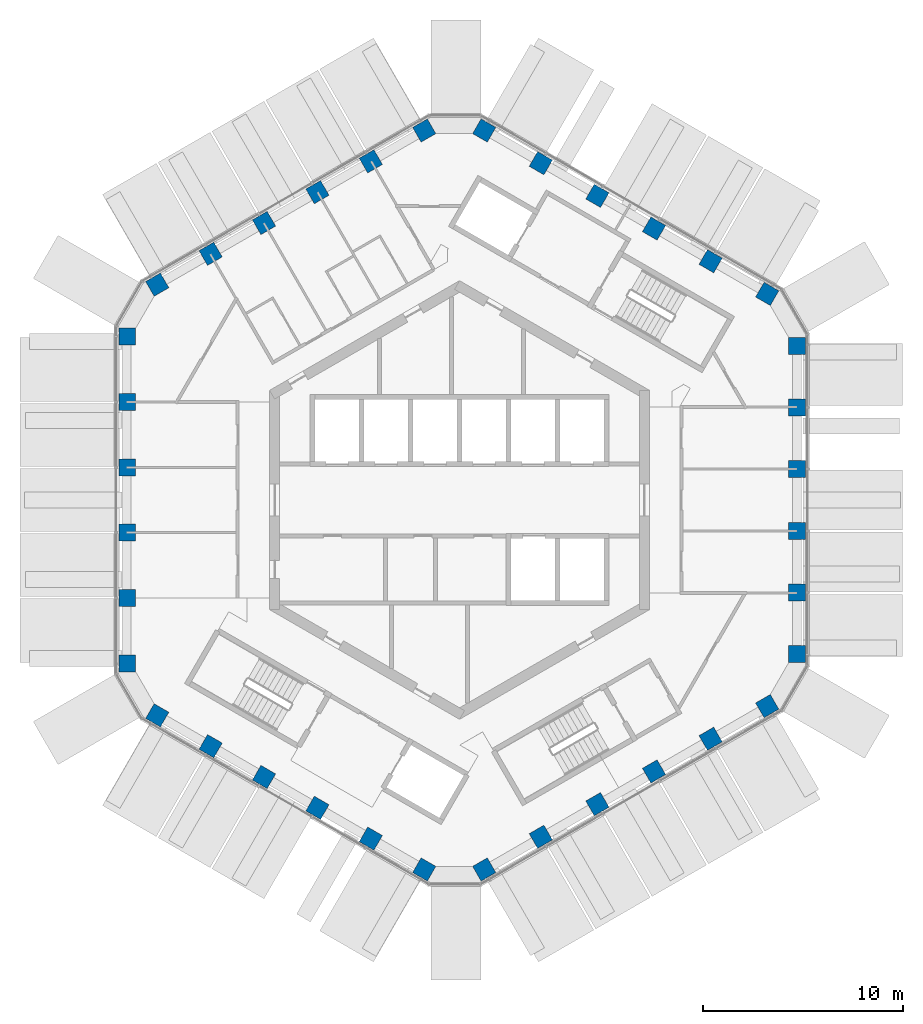
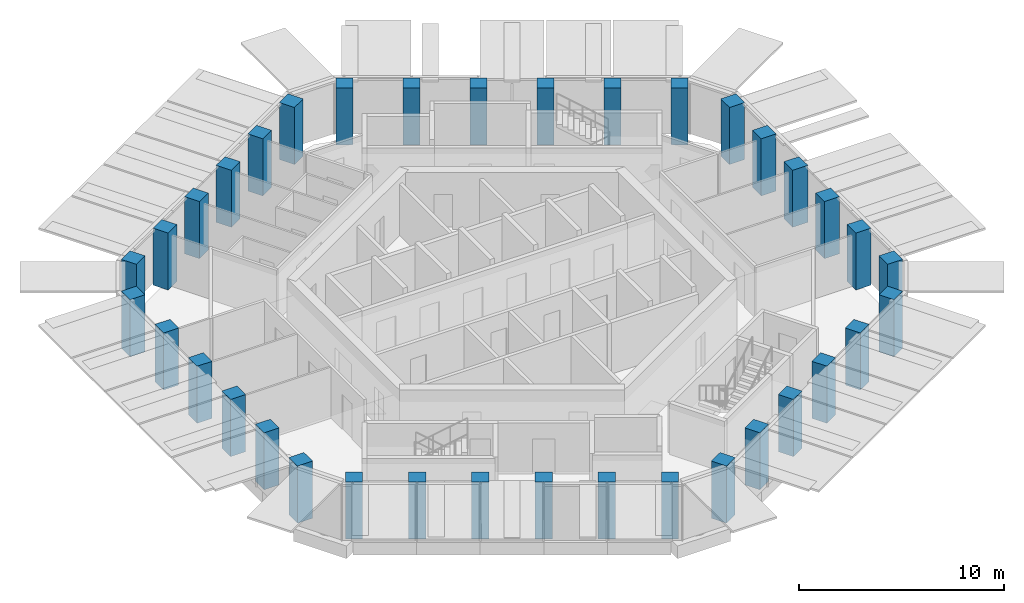
# One storey, part 1 of 17: 36 columns.
"""IFC4 building model written with IfcOpenShell, lengths in metres."""

from ifc_helpers import new_model, si_unit, direction, frame, origin, origin_2d, place, context, subcontext, project, spatial, rectangle, extrude, material, material_profile, profile_set, type_object, element, save


model = new_model("IFC4")

# Units and contexts
model_context = context("Model", 3, precision=1e-05, world=origin(), true_north=direction((0.0, 1.0)))
body_context = subcontext(model_context, "Body", "Model", "MODEL_VIEW")
ifc_project = project(units=[si_unit("LENGTHUNIT", "METRE"), si_unit("AREAUNIT", "SQUARE_METRE"), si_unit("VOLUMEUNIT", "CUBIC_METRE"), si_unit("PLANEANGLEUNIT", "RADIAN"), si_unit("MASSUNIT", "GRAM", prefix="KILO")], contexts=[model_context])

# Site, building, storey
site_placement = place(None, origin())
site = spatial("IfcSite", under=ifc_project, at=site_placement, CompositionType="ELEMENT")
building_placement = place(site_placement, origin())
building = spatial("IfcBuilding", under=site, at=building_placement, Name="Ayvan Gate Tower", CompositionType="ELEMENT")
storey_placement = place(building_placement, frame((0.0, 0.0, 232.5)))
storey = spatial("IfcBuildingStorey", under=building, at=storey_placement, Name="L62", CompositionType="ELEMENT", Elevation=232.5)

# Columns
ifc_material = material(Name="Concrete C50/60", Category="concrete")
ifc_material_profile = material_profile(ifc_material, rectangle(XDim=0.85009765625, YDim=0.85009765625, at=origin_2d()), Name="RC 850x850")
ifc_profile_set = profile_set([ifc_material_profile], Name="Concrete C50/60")
column_type = type_object("IfcColumnType", Name="Tube column RC 850x850 C50/60", PredefinedType="COLUMN", material=ifc_profile_set)
for number, where, z_axis, x_axis, name in (
    (1, (16.887451171875, -7.70947265625, 0.0), (0.0, 0.0, 1.0), (1.0, 0.0, 0.0), "C-T0-0-L62"),
    (2, (16.887451171875, -4.625732421875, 0.0), (0.0, 0.0, 1.0), (1.0, 0.0, 0.0), "C-T0-1-L62"),
    (3, (16.887451171875, -1.5419921875, 0.0), (0.0, 0.0, 1.0), (1.0, 0.0, 0.0), "C-T0-2-L62"),
    (4, (16.887451171875, 1.5419921875, 0.0), (0.0, 0.0, 1.0), (1.0, 0.0, 0.0), "C-T0-3-L62"),
    (5, (16.887451171875, 4.625732421875, 0.0), (0.0, 0.0, 1.0), (1.0, 0.0, 0.0), "C-T0-4-L62"),
    (6, (16.887451171875, 7.70947265625, 0.0), (0.0, 0.0, 1.0), (1.0, 0.0, 0.0), "C-T0-5-L62"),
    (7, (15.387451171875, 10.3076171875, 0.0), (0.0, 0.0, 1.0), (0.5, 0.866025403784, 0.0), "C-T1-0-L62"),
    (8, (12.556640625, 11.942138671875, 0.0), (0.0, 0.0, 1.0), (0.5, 0.866025403784, 0.0), "C-T1-1-L62"),
    (9, (9.7255859375, 13.576416015625, 0.0), (0.0, 0.0, 1.0), (0.5, 0.866025403784, 0.0), "C-T1-2-L62"),
    (10, (6.894775390625, 15.2109375, 0.0), (0.0, 0.0, 1.0), (0.5, 0.866025403784, 0.0), "C-T1-3-L62"),
    (11, (4.06396484375, 16.845458984375, 0.0), (0.0, 0.0, 1.0), (0.5, 0.866025403784, 0.0), "C-T1-4-L62"),
    (12, (1.23291015625, 18.479736328125, 0.0), (0.0, 0.0, 1.0), (0.5, 0.866025403784, 0.0), "C-T1-5-L62"),
    (13, (-1.76708984375, 18.479736328125, 0.0), (0.0, 0.0, 1.0), (-0.5, 0.866025403784, 0.0), "C-T2-0-L62"),
    (14, (-4.437744140625, 16.93798828125, 0.0), (0.0, 0.0, 1.0), (-0.5, 0.866025403784, 0.0), "C-T2-1-L62"),
    (15, (-7.1083984375, 15.39599609375, 0.0), (0.0, 0.0, 1.0), (-0.5, 0.866025403784, 0.0), "C-T2-2-L62"),
    (16, (-9.779052734375, 13.85400390625, 0.0), (0.0, 0.0, 1.0), (-0.5, 0.866025403784, 0.0), "C-T2-3-L62"),
    (17, (-12.44970703125, 12.31201171875, 0.0), (0.0, 0.0, 1.0), (-0.5, 0.866025403784, 0.0), "C-T2-4-L62"),
    (18, (-15.120361328125, 10.770263671875, 0.0), (0.0, 0.0, 1.0), (-0.5, 0.866025403784, 0.0), "C-T2-5-L62"),
    (19, (-16.620361328125, 8.172119140625, 0.0), (0.0, 0.0, 1.0), (-1.0, 0.0, 0.0), "C-T3-0-L62"),
    (20, (-16.620361328125, 4.9033203125, 0.0), (0.0, 0.0, 1.0), (-1.0, 0.0, 0.0), "C-T3-1-L62"),
    (21, (-16.620361328125, 1.634521484375, 0.0), (0.0, 0.0, 1.0), (-1.0, 0.0, 0.0), "C-T3-2-L62"),
    (22, (-16.620361328125, -1.634521484375, 0.0), (0.0, 0.0, 1.0), (-1.0, 0.0, 0.0), "C-T3-3-L62"),
    (23, (-16.620361328125, -4.9033203125, 0.0), (0.0, 0.0, 1.0), (-1.0, 0.0, 0.0), "C-T3-4-L62"),
    (24, (-16.620361328125, -8.172119140625, 0.0), (0.0, 0.0, 1.0), (-1.0, 0.0, 0.0), "C-T3-5-L62"),
    (25, (-15.120361328125, -10.770263671875, 0.0), (0.0, 0.0, 1.0), (-0.5, -0.866025403784, 0.0), "C-T4-0-L62"),
    (26, (-12.44970703125, -12.31201171875, 0.0), (0.0, 0.0, 1.0), (-0.5, -0.866025403784, 0.0), "C-T4-1-L62"),
    (27, (-9.779052734375, -13.85400390625, 0.0), (0.0, 0.0, 1.0), (-0.5, -0.866025403784, 0.0), "C-T4-2-L62"),
    (28, (-7.1083984375, -15.39599609375, 0.0), (0.0, 0.0, 1.0), (-0.5, -0.866025403784, 0.0), "C-T4-3-L62"),
    (29, (-4.437744140625, -16.93798828125, 0.0), (0.0, 0.0, 1.0), (-0.5, -0.866025403784, 0.0), "C-T4-4-L62"),
    (30, (-1.76708984375, -18.479736328125, 0.0), (0.0, 0.0, 1.0), (-0.5, -0.866025403784, 0.0), "C-T4-5-L62"),
    (31, (1.23291015625, -18.479736328125, 0.0), (0.0, 0.0, 1.0), (0.5, -0.866025403784, 0.0), "C-T5-0-L62"),
    (32, (4.06396484375, -16.845458984375, 0.0), (0.0, 0.0, 1.0), (0.5, -0.866025403784, 0.0), "C-T5-1-L62"),
    (33, (6.894775390625, -15.2109375, 0.0), (0.0, 0.0, 1.0), (0.5, -0.866025403784, 0.0), "C-T5-2-L62"),
    (34, (9.7255859375, -13.576416015625, 0.0), (0.0, 0.0, 1.0), (0.5, -0.866025403784, 0.0), "C-T5-3-L62"),
    (35, (12.556640625, -11.942138671875, 0.0), (0.0, 0.0, 1.0), (0.5, -0.866025403784, 0.0), "C-T5-4-L62"),
    (36, (15.387451171875, -10.3076171875, 0.0), (0.0, 0.0, 1.0), (0.5, -0.866025403784, 0.0), "C-T5-5-L62"),
):
    element("IfcColumn", number, at=place(storey_placement, frame(where, z_axis=z_axis, x_axis=x_axis)), inside=storey, type_object=column_type, Name=name, PredefinedType="COLUMN", context=body_context, shape_type="SweptSolid", body=[
        extrude(rectangle(XDim=0.85009765625, YDim=0.85009765625, at=origin_2d()), origin(), (0.0, 0.0, 1.0), 3.39990234375),
    ])

save(model, "model.ifc")
